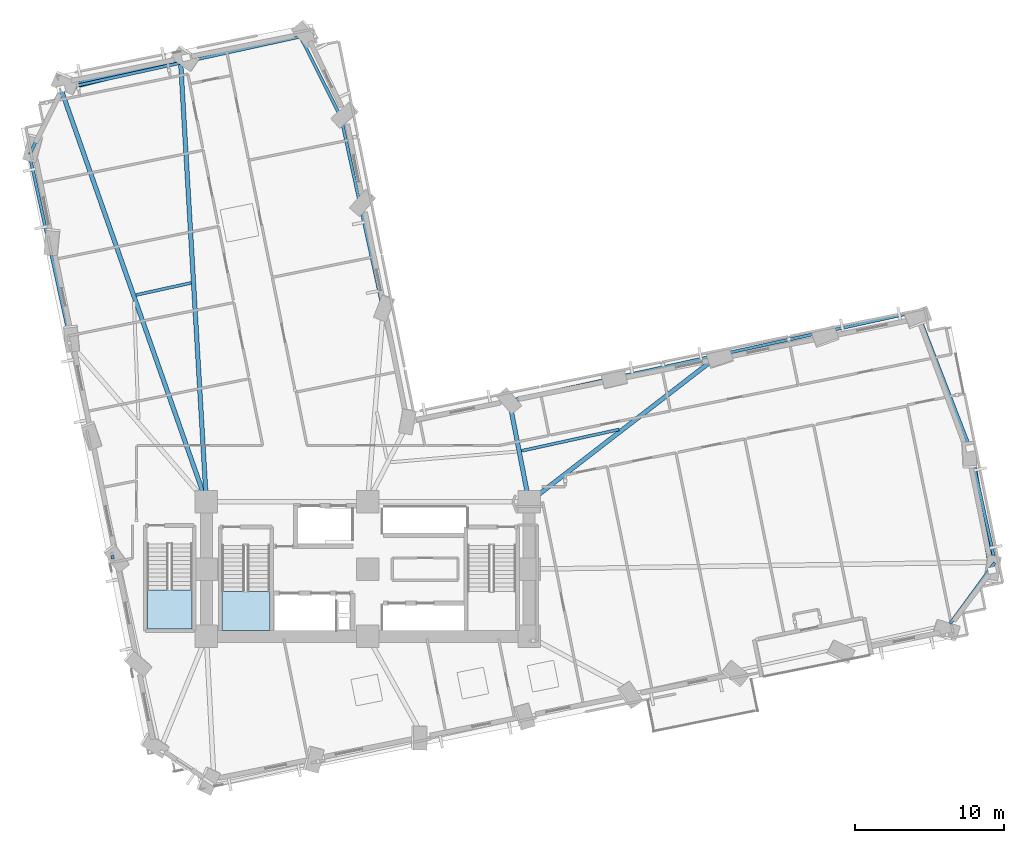
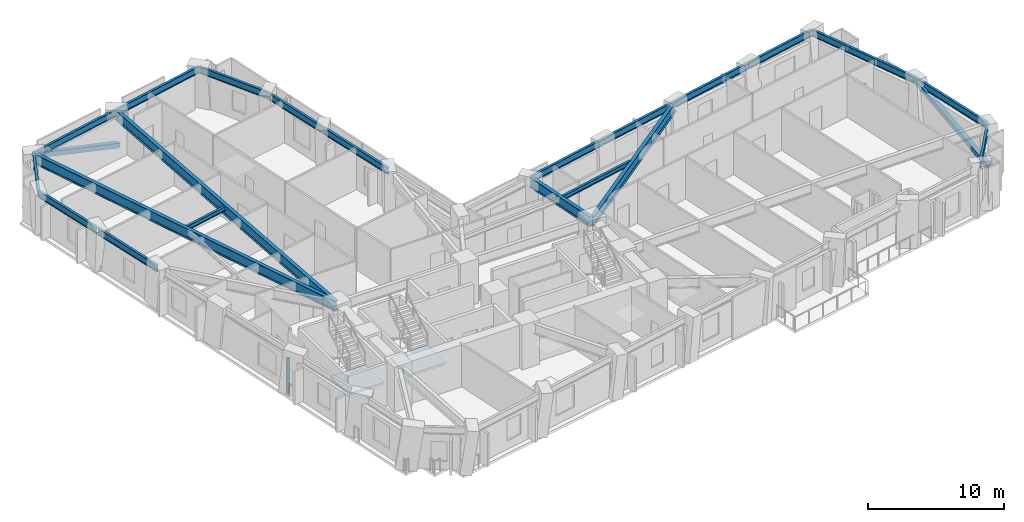
# One storey, part 2 of 16: 21 beams, 2 members, 2 slabs, 1 plate, 2 elements without a shape of their own.
"""IFC4 building model written with IfcOpenShell, lengths in metres."""

from ifc_helpers import new_model, si_unit, direction, frame, origin, origin_2d, place, context, subcontext, project, spatial, polyline, rectangle, hollow_rectangle, i_section, outline, extrude, material, layer, layer_set, material_profile, profile_set, type_object, element, aggregate, save


model = new_model("IFC4")

# Units and contexts
model_context = context("Model", 3, precision=1e-05, world=origin(), true_north=direction((0.0, 1.0)))
body_context = subcontext(model_context, "Body", "Model", "MODEL_VIEW")
ifc_project = project(units=[si_unit("LENGTHUNIT", "METRE"), si_unit("AREAUNIT", "SQUARE_METRE"), si_unit("VOLUMEUNIT", "CUBIC_METRE"), si_unit("PLANEANGLEUNIT", "RADIAN"), si_unit("MASSUNIT", "GRAM", prefix="KILO")], contexts=[model_context])

# Site, building, storey
site_placement = place(None, origin())
site = spatial("IfcSite", under=ifc_project, at=site_placement, CompositionType="ELEMENT")
building_placement = place(site_placement, origin())
building = spatial("IfcBuilding", under=site, at=building_placement, Name="Gaonmaruhae Medical Tower", CompositionType="ELEMENT")
storey_placement = place(building_placement, frame((0.0, 0.0, 71.0)))
storey = spatial("IfcBuildingStorey", under=building, at=storey_placement, Name="L16", CompositionType="ELEMENT", Elevation=71.0)

# Beams
ifc_material_1 = material(Name="Steel SM355", Category="steel")
ifc_material_profile_1 = material_profile(ifc_material_1, i_section(OverallWidth=0.199951171875, OverallDepth=0.39990234375, WebThickness=0.008056640625, FlangeThickness=0.012939453125, FilletRadius=0.012939453125, at=origin_2d()), Name="H-400x200x8x13")
ifc_profile_set_1 = profile_set([ifc_material_profile_1], Name="Steel SM355")
beam_type_1 = type_object("IfcBeamType", Name="FJ-01 Lower Zone Ward Floor Joist (H-400x200x8x13)", PredefinedType="JOIST", material=ifc_profile_set_1)
beam_1_placement = place(storey_placement, frame((41.625, 21.647216796875, 3.580078125), z_axis=(-0.976858321662, -0.21388739888, 0.0), x_axis=(0.21388739888, -0.976858321662, 0.0)))
element("IfcBeam", 1, at=beam_1_placement, inside=storey, type_object=beam_type_1, Name="L16 Secondary Floor Joist FJ05", PredefinedType="JOIST", context=body_context, shape_type="SweptSolid", body=[
    extrude(i_section(OverallWidth=0.199951171875, OverallDepth=0.39990234375, WebThickness=0.008056640625, FlangeThickness=0.012939453125, FilletRadius=0.012939453125, at=origin_2d()), origin(), (0.0, 0.0, 1.0), 6.687744140625),
])
beam_2_placement = place(storey_placement, frame((12.987060546875, 31.458984375, 3.580078125), z_axis=(-0.976856232436, -0.213896940489, 0.0), x_axis=(0.213896940489, -0.976856232436, 0.0)))
element("IfcBeam", 2, at=beam_2_placement, inside=storey, type_object=beam_type_1, Name="L16 Secondary Floor Joist FJ09", PredefinedType="JOIST", context=body_context, shape_type="SweptSolid", body=[
    extrude(i_section(OverallWidth=0.199951171875, OverallDepth=0.39990234375, WebThickness=0.008056640625, FlangeThickness=0.012939453125, FilletRadius=0.012939453125, at=origin_2d()), origin(), (0.0, 0.0, 1.0), 3.784912109375),
])

# Members
ifc_material_2 = material(Name="Steel SM420", Category="steel")
ifc_material_profile_2 = material_profile(ifc_material_2, hollow_rectangle(XDim=0.39990234375, YDim=0.39990234375, WallThickness=0.01611328125, at=origin_2d()), Name="RHS-400x400x16")
ifc_profile_set_2 = profile_set([ifc_material_profile_2], Name="Steel SM420")
member_type = type_object("IfcMemberType", Name="PB-01 Perimeter Solid-Bay Tube Brace Lower (RHS-400x400x16)", PredefinedType="BRACE", material=ifc_profile_set_2)
member_1_placement = place(storey_placement, frame((66.5869140625, 12.221923828125, 0.25), z_axis=(-0.164107432753, 0.915395528114, 0.367586421981), x_axis=(-0.984307520908, -0.176461622692, 0.0)))
element("IfcMember", 3, at=member_1_placement, inside=storey, type_object=member_type, Name="L16 Perimeter Tube Solid-Bay Brace E01-E02", PredefinedType="BRACE", context=body_context, shape_type="SweptSolid", body=[
    extrude(hollow_rectangle(XDim=0.39990234375, YDim=0.39990234375, WallThickness=0.01611328125, at=origin_2d()), origin(), (0.0, 0.0, 1.0), 8.923095703125),
])
member_2_placement = place(storey_placement, frame((12.64013671875, 46.535888671875, 0.25), z_axis=(-0.906512309414, -0.227963750798, 0.355342034107), x_axis=(0.243880267926, -0.969805348983, 0.0)))
element("IfcMember", 4, at=member_2_placement, inside=storey, type_object=member_type, Name="L16 Perimeter Tube Solid-Bay Brace N02-N03", PredefinedType="BRACE", context=body_context, shape_type="SweptSolid", body=[
    extrude(hollow_rectangle(XDim=0.39990234375, YDim=0.39990234375, WallThickness=0.01611328125, at=origin_2d()), origin(), (0.0, 0.0, 1.0), 9.230712890625),
])

# Beams
ifc_material_profile_3 = material_profile(ifc_material_2, i_section(OverallWidth=0.300048828125, OverallDepth=0.89990234375, WebThickness=0.01611328125, FlangeThickness=0.028076171875, FilletRadius=0.01806640625, at=origin_2d()), Name="H-900x300x16x28")
ifc_profile_set_3 = profile_set([ifc_material_profile_3], Name="Steel SM420")
beam_type_2 = type_object("IfcBeamType", Name="PG-01 Zone 1 Radial Floor Girder (H-900x300x16x28)", PredefinedType="BEAM", material=ifc_profile_set_3)
beam_3_placement = place(storey_placement, frame((35.6396484375, 16.83056640625, 3.330078125), z_axis=(0.791360133164, 0.611350259376, 0.0), x_axis=(-0.611350259376, 0.791360133164, 0.0)))
element("IfcBeam", 5, at=beam_3_placement, inside=storey, type_object=beam_type_2, Name="L16 Radial Primary Girder EN02", PredefinedType="BEAM", context=body_context, shape_type="SweptSolid", body=[
    extrude(i_section(OverallWidth=0.300048828125, OverallDepth=0.89990234375, WebThickness=0.01611328125, FlangeThickness=0.028076171875, FilletRadius=0.01806640625, at=origin_2d()), origin(), (0.0, 0.0, 1.0), 16.006591796875),
])
beam_4_placement = place(storey_placement, frame((35.59033203125, 16.84912109375, 3.330078125), z_axis=(-0.191518801943, 0.981488944666, 0.0), x_axis=(-0.981488944666, -0.191518801943, 0.0)))
element("IfcBeam", 6, at=beam_4_placement, inside=storey, type_object=beam_type_2, Name="L16 Radial Primary Girder EN04", PredefinedType="BEAM", context=body_context, shape_type="SweptSolid", body=[
    extrude(i_section(OverallWidth=0.300048828125, OverallDepth=0.89990234375, WebThickness=0.01611328125, FlangeThickness=0.028076171875, FilletRadius=0.01806640625, at=origin_2d()), origin(), (0.0, 0.0, 1.0), 6.79443359375),
])
beam_5_placement = place(storey_placement, frame((13.9970703125, 16.849853515625, 3.330078125), z_axis=(-0.058339534824, 0.998296798891, 0.0), x_axis=(-0.998296798891, -0.058339534824, 0.0)))
element("IfcBeam", 7, at=beam_5_placement, inside=storey, type_object=beam_type_2, Name="L16 Radial Primary Girder N02", PredefinedType="BEAM", context=body_context, shape_type="SweptSolid", body=[
    extrude(i_section(OverallWidth=0.300048828125, OverallDepth=0.89990234375, WebThickness=0.01611328125, FlangeThickness=0.028076171875, FilletRadius=0.01806640625, at=origin_2d()), origin(), (0.0, 0.0, 1.0), 29.335693359375),
])
beam_6_placement = place(storey_placement, frame((13.9833984375, 16.84716796875, 3.330078125), z_axis=(-0.332066749506, 0.943255889922, 0.0), x_axis=(-0.943255889922, -0.332066749506, 0.0)))
element("IfcBeam", 8, at=beam_6_placement, inside=storey, type_object=beam_type_2, Name="L16 Radial Primary Girder N03", PredefinedType="BEAM", context=body_context, shape_type="SweptSolid", body=[
    extrude(i_section(OverallWidth=0.300048828125, OverallDepth=0.89990234375, WebThickness=0.01611328125, FlangeThickness=0.028076171875, FilletRadius=0.01806640625, at=origin_2d()), origin(), (0.0, 0.0, 1.0), 29.19384765625),
])
ifc_material_profile_4 = material_profile(ifc_material_1, i_section(OverallWidth=0.199951171875, OverallDepth=0.60009765625, WebThickness=0.010986328125, FlangeThickness=0.01708984375, FilletRadius=0.012939453125, at=origin_2d()), Name="H-600x200x11x17")
ifc_profile_set_4 = profile_set([ifc_material_profile_4], Name="Steel SM355")
beam_type_3 = type_object("IfcBeamType", Name="SP-01 Lower Perimeter Spandrel Beam (H-600x200x11x17)", PredefinedType="SPANDREL", material=ifc_profile_set_4)
beam_7_placement = place(storey_placement, frame((63.78076171875, 8.658203125, 3.47998046875), z_axis=(0.590658016682, 0.806921995814, 0.0), x_axis=(-0.806921995814, 0.590658016682, 0.0)))
element("IfcBeam", 9, at=beam_7_placement, inside=storey, type_object=beam_type_3, Name="L16 Perimeter Spandrel Beam S08-E01", PredefinedType="SPANDREL", context=body_context, shape_type="SweptSolid", body=[
    extrude(i_section(OverallWidth=0.199951171875, OverallDepth=0.60009765625, WebThickness=0.010986328125, FlangeThickness=0.01708984375, FilletRadius=0.012939453125, at=origin_2d()), origin(), (0.0, 0.0, 1.0), 5.056396484375),
])
beam_8_placement = place(storey_placement, frame((66.782470703125, 12.8095703125, 3.47998046875), z_axis=(-0.213902472106, 0.976855021192, 0.0), x_axis=(-0.976855021192, -0.213902472106, 0.0)))
element("IfcBeam", 10, at=beam_8_placement, inside=storey, type_object=beam_type_3, Name="L16 Perimeter Spandrel Beam E01-E02", PredefinedType="SPANDREL", context=body_context, shape_type="SweptSolid", body=[
    extrude(i_section(OverallWidth=0.199951171875, OverallDepth=0.60009765625, WebThickness=0.010986328125, FlangeThickness=0.01708984375, FilletRadius=0.012939453125, at=origin_2d()), origin(), (0.0, 0.0, 1.0), 7.72021484375),
])
beam_9_placement = place(storey_placement, frame((65.108154296875, 20.427490234375, 3.47998046875), z_axis=(-0.360647229067, 0.932702297717, 0.0), x_axis=(-0.932702297717, -0.360647229067, 0.0)))
element("IfcBeam", 11, at=beam_9_placement, inside=storey, type_object=beam_type_3, Name="L16 Perimeter Spandrel Beam E02-E03", PredefinedType="SPANDREL", context=body_context, shape_type="SweptSolid", body=[
    extrude(i_section(OverallWidth=0.199951171875, OverallDepth=0.60009765625, WebThickness=0.010986328125, FlangeThickness=0.01708984375, FilletRadius=0.012939453125, at=origin_2d()), origin(), (0.0, 0.0, 1.0), 9.7353515625),
])
beam_10_placement = place(storey_placement, frame((61.543701171875, 29.536376953125, 3.47998046875), z_axis=(-0.976859356864, -0.213882670889, 0.0), x_axis=(0.213882670889, -0.976859356864, 0.0)))
element("IfcBeam", 12, at=beam_10_placement, inside=storey, type_object=beam_type_3, Name="L16 Perimeter Spandrel Beam E03-EN01", PredefinedType="SPANDREL", context=body_context, shape_type="SweptSolid", body=[
    extrude(i_section(OverallWidth=0.199951171875, OverallDepth=0.60009765625, WebThickness=0.010986328125, FlangeThickness=0.01708984375, FilletRadius=0.012939453125, at=origin_2d()), origin(), (0.0, 0.0, 1.0), 6.27001953125),
])
beam_11_placement = place(storey_placement, frame((55.340576171875, 28.17822265625, 3.47998046875), z_axis=(-0.976856824747, -0.213894235416, 0.0), x_axis=(0.213894235416, -0.976856824747, 0.0)))
element("IfcBeam", 13, at=beam_11_placement, inside=storey, type_object=beam_type_3, Name="L16 Perimeter Spandrel Beam EN01-EN02", PredefinedType="SPANDREL", context=body_context, shape_type="SweptSolid", body=[
    extrude(i_section(OverallWidth=0.199951171875, OverallDepth=0.60009765625, WebThickness=0.010986328125, FlangeThickness=0.01708984375, FilletRadius=0.012939453125, at=origin_2d()), origin(), (0.0, 0.0, 1.0), 7.1201171875),
])
for number, where, z_axis, x_axis, name in (
    (14, (48.30712890625, 26.63818359375, 3.47998046875), (-0.976855255925, -0.213901400115, 0.0), (0.213901400115, -0.976855255925, 0.0), "L16 Perimeter Spandrel Beam EN02-EN03"),
    (15, (41.273681640625, 25.09814453125, 3.47998046875), (-0.976862420362, -0.213868678595, 0.0), (0.213868678595, -0.976862420362, 0.0), "L16 Perimeter Spandrel Beam EN03-EN04"),
):
    element("IfcBeam", number, at=place(storey_placement, frame(where, z_axis=z_axis, x_axis=x_axis)), inside=storey, type_object=beam_type_3, Name=name, PredefinedType="SPANDREL", context=body_context, shape_type="SweptSolid", body=[
        extrude(i_section(OverallWidth=0.199951171875, OverallDepth=0.60009765625, WebThickness=0.010986328125, FlangeThickness=0.01708984375, FilletRadius=0.012939453125, at=origin_2d()), origin(), (0.0, 0.0, 1.0), 7.119873046875),
    ])
beam_12_placement = place(storey_placement, frame((25.82421875, 29.68994140625, 3.47998046875), z_axis=(-0.213894235416, 0.976856824747, 0.0), x_axis=(-0.976856824747, -0.213894235416, 0.0)))
element("IfcBeam", 16, at=beam_12_placement, inside=storey, type_object=beam_type_3, Name="L16 Perimeter Spandrel Beam NE01-NE02", PredefinedType="SPANDREL", context=body_context, shape_type="SweptSolid", body=[
    extrude(i_section(OverallWidth=0.199951171875, OverallDepth=0.60009765625, WebThickness=0.010986328125, FlangeThickness=0.01708984375, FilletRadius=0.012939453125, at=origin_2d()), origin(), (0.0, 0.0, 1.0), 7.1201171875),
])
beam_13_placement = place(storey_placement, frame((24.2841796875, 36.723388671875, 3.47998046875), z_axis=(-0.213872752419, 0.976861528454, 0.0), x_axis=(-0.976861528454, -0.213872752419, 0.0)))
element("IfcBeam", 17, at=beam_13_placement, inside=storey, type_object=beam_type_3, Name="L16 Perimeter Spandrel Beam NE02-NE03", PredefinedType="SPANDREL", context=body_context, shape_type="SweptSolid", body=[
    extrude(i_section(OverallWidth=0.199951171875, OverallDepth=0.60009765625, WebThickness=0.010986328125, FlangeThickness=0.01708984375, FilletRadius=0.012939453125, at=origin_2d()), origin(), (0.0, 0.0, 1.0), 5.919921875),
])
beam_14_placement = place(storey_placement, frame((22.991455078125, 42.581298828125, 3.47998046875), z_axis=(-0.449800975787, 0.893128816118, 0.0), x_axis=(-0.893128816118, -0.449800975787, 0.0)))
element("IfcBeam", 18, at=beam_14_placement, inside=storey, type_object=beam_type_3, Name="L16 Perimeter Spandrel Beam NE03-N01", PredefinedType="SPANDREL", context=body_context, shape_type="SweptSolid", body=[
    extrude(i_section(OverallWidth=0.199951171875, OverallDepth=0.60009765625, WebThickness=0.010986328125, FlangeThickness=0.01708984375, FilletRadius=0.012939453125, at=origin_2d()), origin(), (0.0, 0.0, 1.0), 5.959228515625),
])
for number, where, z_axis, x_axis, name in (
    (19, (20.25390625, 47.9306640625, 3.47998046875), (-0.976863519748, -0.213863657001, 0.0), (0.213863657001, -0.976863519748, 0.0), "L16 Perimeter Spandrel Beam N01-N02"),
    (20, (12.24365234375, 46.177001953125, 3.47998046875), (-0.976857237987, -0.213892348139, 0.0), (0.213892348139, -0.976857237987, 0.0), "L16 Perimeter Spandrel Beam N02-N03"),
):
    element("IfcBeam", number, at=place(storey_placement, frame(where, z_axis=z_axis, x_axis=x_axis)), inside=storey, type_object=beam_type_3, Name=name, PredefinedType="SPANDREL", context=body_context, shape_type="SweptSolid", body=[
        extrude(i_section(OverallWidth=0.199951171875, OverallDepth=0.60009765625, WebThickness=0.010986328125, FlangeThickness=0.01708984375, FilletRadius=0.012939453125, at=origin_2d()), origin(), (0.0, 0.0, 1.0), 8.1201171875),
    ])
beam_15_placement = place(storey_placement, frame((4.255126953125, 44.3955078125, 3.47998046875), z_axis=(-0.431707407926, -0.90201369942, 0.0), x_axis=(0.90201369942, -0.431707407926, 0.0)))
element("IfcBeam", 21, at=beam_15_placement, inside=storey, type_object=beam_type_3, Name="L16 Perimeter Spandrel Beam N03-W01", PredefinedType="SPANDREL", context=body_context, shape_type="SweptSolid", body=[
    extrude(i_section(OverallWidth=0.199951171875, OverallDepth=0.60009765625, WebThickness=0.010986328125, FlangeThickness=0.01708984375, FilletRadius=0.012939453125, at=origin_2d()), origin(), (0.0, 0.0, 1.0), 4.80078125),
])
beam_16_placement = place(storey_placement, frame((2.173828125, 39.989990234375, 3.47998046875), z_axis=(0.213890417109, -0.976857660803, 0.0), x_axis=(0.976857660803, 0.213890417109, 0.0)))
element("IfcBeam", 22, at=beam_16_placement, inside=storey, type_object=beam_type_3, Name="L16 Perimeter Spandrel Beam W01-W02", PredefinedType="SPANDREL", context=body_context, shape_type="SweptSolid", body=[
    extrude(i_section(OverallWidth=0.199951171875, OverallDepth=0.60009765625, WebThickness=0.010986328125, FlangeThickness=0.01708984375, FilletRadius=0.012939453125, at=origin_2d()), origin(), (0.0, 0.0, 1.0), 6.320068359375),
])
beam_17_placement = place(storey_placement, frame((3.542724609375, 33.738037109375, 3.47998046875), z_axis=(0.213884482546, -0.976858960201, 0.0), x_axis=(0.976858960201, 0.213884482546, 0.0)))
element("IfcBeam", 23, at=beam_17_placement, inside=storey, type_object=beam_type_3, Name="L16 Perimeter Spandrel Beam W02-W03", PredefinedType="SPANDREL", context=body_context, shape_type="SweptSolid", body=[
    extrude(i_section(OverallWidth=0.199951171875, OverallDepth=0.60009765625, WebThickness=0.010986328125, FlangeThickness=0.01708984375, FilletRadius=0.012939453125, at=origin_2d()), origin(), (0.0, 0.0, 1.0), 6.52001953125),
])

# Plate
ifc_material_3 = material(Name="Anodised aluminium 6063-T6", Category="aluminium")
ifc_layer_1 = layer(ifc_material_3, 0.011962890625)
ifc_layer_set_1 = layer_set([ifc_layer_1], Name="Anodised aluminium 6063-T6")
plate_type = type_object("IfcPlateType", Name="PP-01 Interior Partition Corner Stiffener Plate", PredefinedType="SHEET", material=ifc_layer_set_1)
plate_placement = place(storey_placement, frame((7.721923828125, 13.098388671875, 0.0), z_axis=(0.0, 0.0, 1.0), x_axis=(-0.197554685538, 0.980291867875, 0.0)))
element("IfcPlate", 24, at=plate_placement, inside=storey, type_object=plate_type, Name="L16 Partition Corner Stiffener Plate PLT-L16-JGP-PW041", PredefinedType="SHEET", context=body_context, shape_type="SweptSolid", body=[
    extrude(rectangle(XDim=0.219970703125, YDim=0.219970703125, at=origin_2d()), origin(), (0.0, 0.0, 1.0), 3.1650390625),
])

# Stair, slab
ifc_material_4 = material(Name="Concrete C40/50", Category="concrete")
stair_type_1 = type_object("IfcStairType", Name="ST-T1 Primary Core Escape Dogleg Stair", PredefinedType="TWO_QUARTER_TURN_STAIR", material=ifc_material_4)
stair_1_placement = place(storey_placement, origin())
stair_1 = element("IfcStair", 25, at=stair_1_placement, inside=storey, type_object=stair_type_1, Name="L16 Protected Escape Stair ST-01", PredefinedType="TWO_QUARTER_TURN_STAIR")
ifc_layer_2 = layer(ifc_material_4, 0.199951171875)
ifc_layer_set_2 = layer_set([ifc_layer_2], Name="Concrete C40/50")
slab_type = type_object("IfcSlabType", Name="SL-200 Stair & Ramp Intermediate Concrete Landing", PredefinedType="LANDING", material=ifc_layer_set_2)
slab_1_placement = place(storey_placement, frame((0.0, 0.0, 1.800048828125)))
slab_1 = element("IfcSlab", 26, at=slab_1_placement, type_object=slab_type, Name="ST-01 landing 1", PredefinedType="LANDING", context=body_context, shape_type="SweptSolid", body=[
    extrude(outline(polyline([(15.050048828125, 10.820068359375), (15.050048828125, 8.2041015625), (18.25, 8.2041015625), (18.25, 10.820068359375), (15.050048828125, 10.820068359375)])), origin(), (0.0, 0.0, 1.0), 0.199951171875),
])
aggregate(stair_1, [slab_1])

stair_type_2 = type_object("IfcStairType", Name="ST-T2 Zone 1 Escape Dogleg Stair", PredefinedType="TWO_QUARTER_TURN_STAIR", material=ifc_material_4)
stair_2_placement = place(storey_placement, origin())
stair_2 = element("IfcStair", 27, at=stair_2_placement, inside=storey, type_object=stair_type_2, Name="L16 Protected Escape Stair ST-03", PredefinedType="TWO_QUARTER_TURN_STAIR")
slab_2_placement = place(storey_placement, frame((0.0, 0.0, 1.800048828125)))
slab_2 = element("IfcSlab", 28, at=slab_2_placement, type_object=slab_type, Name="ST-03 landing 1", PredefinedType="LANDING", context=body_context, shape_type="SweptSolid", body=[
    extrude(outline(polyline([(10.050048828125, 10.919921875), (10.050048828125, 8.300048828125), (13.050048828125, 8.300048828125), (13.050048828125, 10.919921875), (10.050048828125, 10.919921875)])), origin(), (0.0, 0.0, 1.0), 0.199951171875),
])
aggregate(stair_2, [slab_2])

save(model, "model.ifc")
